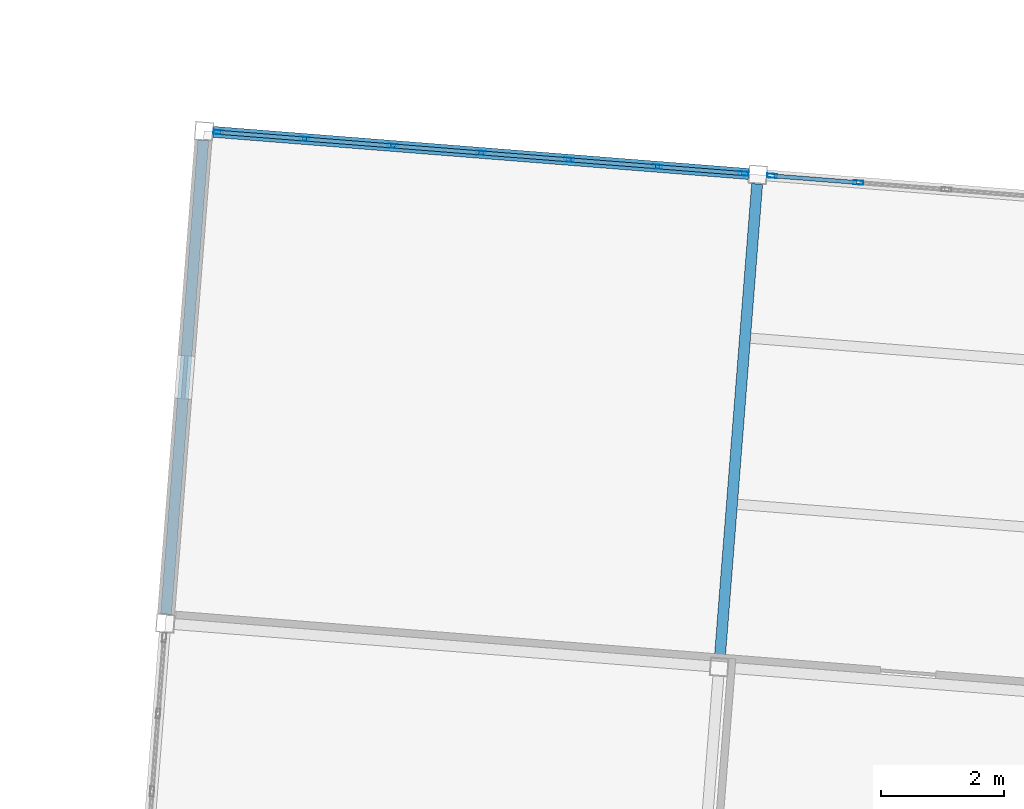
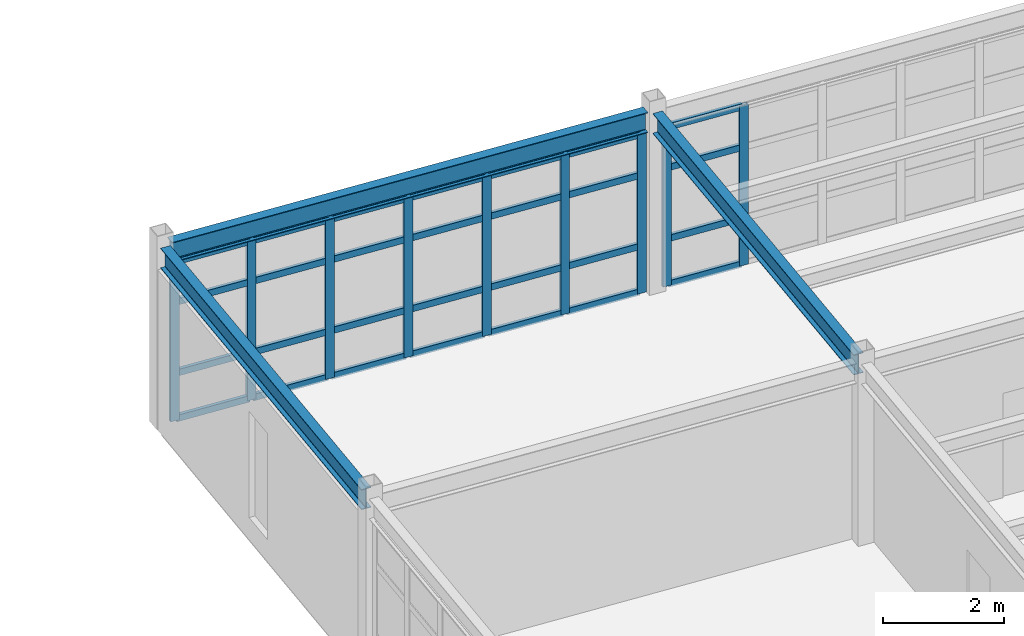
# One storey, part 50 of 150: 37 members, 3 beams, 2 elements without a shape of their own.
"""IFC4 building model written with IfcOpenShell, lengths in metres."""

from ifc_helpers import new_model, si_unit, direction, frame, origin, origin_2d, place, context, subcontext, project, spatial, hollow_rectangle, i_section, extrude, material, material_profile, profile_set, type_object, element, aggregate, save


model = new_model("IFC4")

# Units and contexts
model_context = context("Model", 3, precision=1e-05, world=origin(), true_north=direction((0.0, 1.0)))
body_context = subcontext(model_context, "Body", "Model", "MODEL_VIEW")
ifc_project = project(units=[si_unit("LENGTHUNIT", "METRE"), si_unit("AREAUNIT", "SQUARE_METRE"), si_unit("VOLUMEUNIT", "CUBIC_METRE"), si_unit("PLANEANGLEUNIT", "RADIAN"), si_unit("MASSUNIT", "GRAM", prefix="KILO")], contexts=[model_context])

# Site, building, storey
site_placement = place(None, origin())
site = spatial("IfcSite", under=ifc_project, at=site_placement, CompositionType="ELEMENT")
building_placement = place(site_placement, origin())
building = spatial("IfcBuilding", under=site, at=building_placement, Name="Kestramere Prow Commons", CompositionType="ELEMENT")
storey_placement = place(building_placement, frame((0.0, 0.0, 4.5)))
storey = spatial("IfcBuildingStorey", under=building, at=storey_placement, Name="L01", CompositionType="ELEMENT", Elevation=4.5)

# Beams
ifc_material_1 = material(Name="Steel S355JR", Category="steel")
ifc_material_profile_1 = material_profile(ifc_material_1, i_section(OverallWidth=0.177978515625, OverallDepth=0.406494140625, WebThickness=0.0078125, FlangeThickness=0.0126953125, FilletRadius=0.01025390625, at=origin_2d()), Name="UB 406x178x60")
ifc_profile_set_1 = profile_set([ifc_material_profile_1], Name="Steel S355JR")
beam_type_1 = type_object("IfcBeamType", Name="BM-NR-01 UB 406x178x60", PredefinedType="BEAM", material=ifc_profile_set_1)
beam_1_placement = place(storey_placement, frame((78.83935546875, 100.89404296875, 3.44677734375), z_axis=(0.078473620365, 0.996916190513, 0.0), x_axis=(-0.996916190513, 0.078473620365, 0.0)))
element("IfcBeam", 1, at=beam_1_placement, inside=storey, type_object=beam_type_1, Name="Nursery L01 Beam V 2-3", PredefinedType="BEAM", context=body_context, shape_type="SweptSolid", body=[
    extrude(i_section(OverallWidth=0.177978515625, OverallDepth=0.406494140625, WebThickness=0.0078125, FlangeThickness=0.0126953125, FilletRadius=0.01025390625, at=origin_2d()), origin(), (0.0, 0.0, 1.0), 7.699951171875),
])
ifc_material_profile_2 = material_profile(ifc_material_1, i_section(OverallWidth=0.177978515625, OverallDepth=0.406494140625, WebThickness=0.0078125, FlangeThickness=0.0126953125, FilletRadius=0.01025390625, at=origin_2d()), Name="UB 406x178x60")
ifc_profile_set_2 = profile_set([ifc_material_profile_2], Name="Steel S355JR")
beam_type_2 = type_object("IfcBeamType", Name="BM-NR-01 UB 406x178x60 (EX)", PredefinedType="BEAM", material=ifc_profile_set_2)
beam_2_placement = place(storey_placement, frame((70.632568359375, 109.414306640625, 3.44677734375), z_axis=(0.996917066238, -0.078462494502, 0.0), x_axis=(0.078462494502, 0.996917066238, 0.0)))
element("IfcBeam", 2, at=beam_2_placement, inside=storey, type_object=beam_type_2, Name="Nursery L01 Beam U 4-1", PredefinedType="BEAM", context=body_context, shape_type="SweptSolid", body=[
    extrude(i_section(OverallWidth=0.177978515625, OverallDepth=0.406494140625, WebThickness=0.0078125, FlangeThickness=0.0126953125, FilletRadius=0.01025390625, at=origin_2d()), origin(), (0.0, 0.0, 1.0), 8.699951171875),
])
beam_3_placement = place(storey_placement, frame((69.8671875, 101.60009765625, 3.44677734375), z_axis=(0.078442108986, 0.996918670473, 0.0), x_axis=(-0.996918670473, 0.078442108986, 0.0)))
element("IfcBeam", 3, at=beam_3_placement, inside=storey, type_object=beam_type_2, Name="Nursery L01 Beam V 1-3", PredefinedType="BEAM", context=body_context, shape_type="SweptSolid", body=[
    extrude(i_section(OverallWidth=0.177978515625, OverallDepth=0.406494140625, WebThickness=0.0078125, FlangeThickness=0.0126953125, FilletRadius=0.01025390625, at=origin_2d()), origin(), (0.0, 0.0, 1.0), 7.699951171875),
])

# Curtain wall, members
ifc_material_2 = material(Name="Anodised Aluminium and Low-E Glass", Category="aluminium")
curtain_wall_type = type_object("IfcCurtainWallType", Name="CW-15 Glazed Curtain Wall 8600x3230", PredefinedType="USERDEFINED", material=ifc_material_2)
curtain_wall_1_placement = place(storey_placement, origin())
curtain_wall_1 = element("IfcCurtainWall", 4, at=curtain_wall_1_placement, inside=storey, type_object=curtain_wall_type, Name="Nursery L01 North Garden Glazing 1", ObjectType="GLAZED CURTAIN WALL", PredefinedType="USERDEFINED")
ifc_material_3 = material(Name="Anodised Aluminium 6063-T6", Category="aluminium")
ifc_material_profile_3 = material_profile(ifc_material_3, hollow_rectangle(XDim=0.06494140625, YDim=0.159912109375, WallThickness=0.00390625, at=origin_2d()), Name="ALU-MUL 65x160")
ifc_profile_set_3 = profile_set([ifc_material_profile_3], Name="Anodised Aluminium 6063-T6")
member_type_1 = type_object("IfcMemberType", Name="CW-MUL-65x160", PredefinedType="MULLION", material=ifc_profile_set_3)
member_1_placement = place(storey_placement, frame((70.71484375, 109.40771484375, 0.0), z_axis=(0.0, 0.0, 1.0), x_axis=(0.078459070568, 0.996917335713, 0.0)))
member_1 = element("IfcMember", 5, at=member_1_placement, type_object=member_type_1, Name="CW-15 mullion 1", PredefinedType="MULLION", context=body_context, shape_type="SweptSolid", body=[
    extrude(hollow_rectangle(XDim=0.06494140625, YDim=0.159912109375, WallThickness=0.00390625, at=origin_2d()), origin(), (0.0, 0.0, 1.0), 3.22998046875),
])
member_2_placement = place(storey_placement, frame((72.111328125, 109.2978515625, 0.0), z_axis=(0.0, 0.0, 1.0), x_axis=(0.078459070568, 0.996917335713, 0.0)))
member_2 = element("IfcMember", 6, at=member_2_placement, type_object=member_type_1, Name="CW-15 mullion 2", PredefinedType="MULLION", context=body_context, shape_type="SweptSolid", body=[
    extrude(hollow_rectangle(XDim=0.06494140625, YDim=0.159912109375, WallThickness=0.00390625, at=origin_2d()), origin(), (0.0, 0.0, 1.0), 3.22998046875),
])
member_3_placement = place(storey_placement, frame((73.540283203125, 109.185302734375, 0.0), z_axis=(0.0, 0.0, 1.0), x_axis=(0.078459070568, 0.996917335713, 0.0)))
member_3 = element("IfcMember", 7, at=member_3_placement, type_object=member_type_1, Name="CW-15 mullion 3", PredefinedType="MULLION", context=body_context, shape_type="SweptSolid", body=[
    extrude(hollow_rectangle(XDim=0.06494140625, YDim=0.159912109375, WallThickness=0.00390625, at=origin_2d()), origin(), (0.0, 0.0, 1.0), 3.22998046875),
])
member_4_placement = place(storey_placement, frame((74.96923828125, 109.072998046875, 0.0), z_axis=(0.0, 0.0, 1.0), x_axis=(0.078459070568, 0.996917335713, 0.0)))
member_4 = element("IfcMember", 8, at=member_4_placement, type_object=member_type_1, Name="CW-15 mullion 4", PredefinedType="MULLION", context=body_context, shape_type="SweptSolid", body=[
    extrude(hollow_rectangle(XDim=0.06494140625, YDim=0.159912109375, WallThickness=0.00390625, at=origin_2d()), origin(), (0.0, 0.0, 1.0), 3.22998046875),
])
member_5_placement = place(storey_placement, frame((76.39794921875, 108.96044921875, 0.0), z_axis=(0.0, 0.0, 1.0), x_axis=(0.078459070568, 0.996917335713, 0.0)))
member_5 = element("IfcMember", 9, at=member_5_placement, type_object=member_type_1, Name="CW-15 mullion 5", PredefinedType="MULLION", context=body_context, shape_type="SweptSolid", body=[
    extrude(hollow_rectangle(XDim=0.06494140625, YDim=0.159912109375, WallThickness=0.00390625, at=origin_2d()), origin(), (0.0, 0.0, 1.0), 3.22998046875),
])
member_6_placement = place(storey_placement, frame((77.826904296875, 108.84814453125, 0.0), z_axis=(0.0, 0.0, 1.0), x_axis=(0.078459070568, 0.996917335713, 0.0)))
member_6 = element("IfcMember", 10, at=member_6_placement, type_object=member_type_1, Name="CW-15 mullion 6", PredefinedType="MULLION", context=body_context, shape_type="SweptSolid", body=[
    extrude(hollow_rectangle(XDim=0.06494140625, YDim=0.159912109375, WallThickness=0.00390625, at=origin_2d()), origin(), (0.0, 0.0, 1.0), 3.22998046875),
])
member_7_placement = place(storey_placement, frame((79.223388671875, 108.738037109375, 0.0), z_axis=(0.0, 0.0, 1.0), x_axis=(0.078459070568, 0.996917335713, 0.0)))
member_7 = element("IfcMember", 11, at=member_7_placement, type_object=member_type_1, Name="CW-15 mullion 7", PredefinedType="MULLION", context=body_context, shape_type="SweptSolid", body=[
    extrude(hollow_rectangle(XDim=0.06494140625, YDim=0.159912109375, WallThickness=0.00390625, at=origin_2d()), origin(), (0.0, 0.0, 1.0), 3.22998046875),
])

curtain_wall_2_placement = place(storey_placement, origin())
curtain_wall_2 = element("IfcCurtainWall", 12, at=curtain_wall_2_placement, inside=storey, type_object=curtain_wall_type, Name="Nursery L01 North Garden Glazing 2", ObjectType="GLAZED CURTAIN WALL", PredefinedType="USERDEFINED")
member_8_placement = place(storey_placement, frame((79.68701171875, 108.70166015625, 0.0), z_axis=(0.0, 0.0, 1.0), x_axis=(0.078459070568, 0.996917335713, 0.0)))
member_8 = element("IfcMember", 13, at=member_8_placement, type_object=member_type_1, Name="CW-15 mullion 1", PredefinedType="MULLION", context=body_context, shape_type="SweptSolid", body=[
    extrude(hollow_rectangle(XDim=0.06494140625, YDim=0.159912109375, WallThickness=0.00390625, at=origin_2d()), origin(), (0.0, 0.0, 1.0), 3.22998046875),
])
member_9_placement = place(storey_placement, frame((81.08349609375, 108.591796875, 0.0), z_axis=(0.0, 0.0, 1.0), x_axis=(0.078459070568, 0.996917335713, 0.0)))
member_9 = element("IfcMember", 14, at=member_9_placement, type_object=member_type_1, Name="CW-15 mullion 2", PredefinedType="MULLION", context=body_context, shape_type="SweptSolid", body=[
    extrude(hollow_rectangle(XDim=0.06494140625, YDim=0.159912109375, WallThickness=0.00390625, at=origin_2d()), origin(), (0.0, 0.0, 1.0), 3.22998046875),
])

# Member
ifc_material_profile_4 = material_profile(ifc_material_3, hollow_rectangle(XDim=0.06494140625, YDim=0.1298828125, WallThickness=0.00390625, at=origin_2d()), Name="ALU-TRN 65x130")
ifc_profile_set_4 = profile_set([ifc_material_profile_4], Name="Anodised Aluminium 6063-T6")
member_type_2 = type_object("IfcMemberType", Name="CW-TRN-65x130", PredefinedType="USERDEFINED", material=ifc_profile_set_4)
member_10_placement = place(storey_placement, frame((70.747314453125, 109.4052734375, 0.032470703125), z_axis=(0.996920751352, -0.07841565866, 0.0), x_axis=(0.07841565866, 0.996920751352, 0.0)))
member_10 = element("IfcMember", 15, at=member_10_placement, type_object=member_type_2, Name="CW-15 transom 1.1", ObjectType="TRANSOM", PredefinedType="USERDEFINED", context=body_context, shape_type="SweptSolid", body=[
    extrude(hollow_rectangle(XDim=0.06494140625, YDim=0.1298828125, WallThickness=0.00390625, at=origin_2d()), origin(), (0.0, 0.0, 1.0), 1.335693359375),
])

member_11_placement = place(storey_placement, frame((70.747314453125, 109.4052734375, 0.949951171875), z_axis=(0.996920751352, -0.07841565866, 0.0), x_axis=(0.07841565866, 0.996920751352, 0.0)))
member_11 = element("IfcMember", 16, at=member_11_placement, type_object=member_type_2, Name="CW-15 transom 1.2", ObjectType="TRANSOM", PredefinedType="USERDEFINED", context=body_context, shape_type="SweptSolid", body=[
    extrude(hollow_rectangle(XDim=0.06494140625, YDim=0.1298828125, WallThickness=0.00390625, at=origin_2d()), origin(), (0.0, 0.0, 1.0), 1.335693359375),
])

member_12_placement = place(storey_placement, frame((70.747314453125, 109.4052734375, 2.3798828125), z_axis=(0.996920751352, -0.07841565866, 0.0), x_axis=(0.07841565866, 0.996920751352, 0.0)))
member_12 = element("IfcMember", 17, at=member_12_placement, type_object=member_type_2, Name="CW-15 transom 1.3", ObjectType="TRANSOM", PredefinedType="USERDEFINED", context=body_context, shape_type="SweptSolid", body=[
    extrude(hollow_rectangle(XDim=0.06494140625, YDim=0.1298828125, WallThickness=0.00390625, at=origin_2d()), origin(), (0.0, 0.0, 1.0), 1.335693359375),
])

member_13_placement = place(storey_placement, frame((70.747314453125, 109.4052734375, 3.197509765625), z_axis=(0.996920751352, -0.07841565866, 0.0), x_axis=(0.07841565866, 0.996920751352, 0.0)))
member_13 = element("IfcMember", 18, at=member_13_placement, type_object=member_type_2, Name="CW-15 transom 1.4", ObjectType="TRANSOM", PredefinedType="USERDEFINED", context=body_context, shape_type="SweptSolid", body=[
    extrude(hollow_rectangle(XDim=0.06494140625, YDim=0.1298828125, WallThickness=0.00390625, at=origin_2d()), origin(), (0.0, 0.0, 1.0), 1.335693359375),
])

member_14_placement = place(storey_placement, frame((72.143798828125, 109.29541015625, 0.032470703125), z_axis=(0.996913235205, -0.07851115509, 0.0), x_axis=(0.07851115509, 0.996913235205, 0.0)))
member_14 = element("IfcMember", 19, at=member_14_placement, type_object=member_type_2, Name="CW-15 transom 2.1", ObjectType="TRANSOM", PredefinedType="USERDEFINED", context=body_context, shape_type="SweptSolid", body=[
    extrude(hollow_rectangle(XDim=0.06494140625, YDim=0.1298828125, WallThickness=0.00390625, at=origin_2d()), origin(), (0.0, 0.0, 1.0), 1.3681640625),
])

member_15_placement = place(storey_placement, frame((72.143798828125, 109.29541015625, 0.949951171875), z_axis=(0.996913235205, -0.07851115509, 0.0), x_axis=(0.07851115509, 0.996913235205, 0.0)))
member_15 = element("IfcMember", 20, at=member_15_placement, type_object=member_type_2, Name="CW-15 transom 2.2", ObjectType="TRANSOM", PredefinedType="USERDEFINED", context=body_context, shape_type="SweptSolid", body=[
    extrude(hollow_rectangle(XDim=0.06494140625, YDim=0.1298828125, WallThickness=0.00390625, at=origin_2d()), origin(), (0.0, 0.0, 1.0), 1.3681640625),
])

member_16_placement = place(storey_placement, frame((72.143798828125, 109.29541015625, 2.3798828125), z_axis=(0.996913235205, -0.07851115509, 0.0), x_axis=(0.07851115509, 0.996913235205, 0.0)))
member_16 = element("IfcMember", 21, at=member_16_placement, type_object=member_type_2, Name="CW-15 transom 2.3", ObjectType="TRANSOM", PredefinedType="USERDEFINED", context=body_context, shape_type="SweptSolid", body=[
    extrude(hollow_rectangle(XDim=0.06494140625, YDim=0.1298828125, WallThickness=0.00390625, at=origin_2d()), origin(), (0.0, 0.0, 1.0), 1.3681640625),
])

member_17_placement = place(storey_placement, frame((72.143798828125, 109.29541015625, 3.197509765625), z_axis=(0.996913235205, -0.07851115509, 0.0), x_axis=(0.07851115509, 0.996913235205, 0.0)))
member_17 = element("IfcMember", 22, at=member_17_placement, type_object=member_type_2, Name="CW-15 transom 2.4", ObjectType="TRANSOM", PredefinedType="USERDEFINED", context=body_context, shape_type="SweptSolid", body=[
    extrude(hollow_rectangle(XDim=0.06494140625, YDim=0.1298828125, WallThickness=0.00390625, at=origin_2d()), origin(), (0.0, 0.0, 1.0), 1.3681640625),
])

member_18_placement = place(storey_placement, frame((73.572509765625, 109.182861328125, 0.032470703125), z_axis=(0.996914334782, -0.078497191715, 0.0), x_axis=(0.078497191715, 0.996914334782, 0.0)))
member_18 = element("IfcMember", 23, at=member_18_placement, type_object=member_type_2, Name="CW-15 transom 3.1", ObjectType="TRANSOM", PredefinedType="USERDEFINED", context=body_context, shape_type="SweptSolid", body=[
    extrude(hollow_rectangle(XDim=0.06494140625, YDim=0.1298828125, WallThickness=0.00390625, at=origin_2d()), origin(), (0.0, 0.0, 1.0), 1.368408203125),
])

member_19_placement = place(storey_placement, frame((73.572509765625, 109.182861328125, 0.949951171875), z_axis=(0.996914334782, -0.078497191715, 0.0), x_axis=(0.078497191715, 0.996914334782, 0.0)))
member_19 = element("IfcMember", 24, at=member_19_placement, type_object=member_type_2, Name="CW-15 transom 3.2", ObjectType="TRANSOM", PredefinedType="USERDEFINED", context=body_context, shape_type="SweptSolid", body=[
    extrude(hollow_rectangle(XDim=0.06494140625, YDim=0.1298828125, WallThickness=0.00390625, at=origin_2d()), origin(), (0.0, 0.0, 1.0), 1.368408203125),
])

member_20_placement = place(storey_placement, frame((73.572509765625, 109.182861328125, 2.3798828125), z_axis=(0.996914334782, -0.078497191715, 0.0), x_axis=(0.078497191715, 0.996914334782, 0.0)))
member_20 = element("IfcMember", 25, at=member_20_placement, type_object=member_type_2, Name="CW-15 transom 3.3", ObjectType="TRANSOM", PredefinedType="USERDEFINED", context=body_context, shape_type="SweptSolid", body=[
    extrude(hollow_rectangle(XDim=0.06494140625, YDim=0.1298828125, WallThickness=0.00390625, at=origin_2d()), origin(), (0.0, 0.0, 1.0), 1.368408203125),
])

member_21_placement = place(storey_placement, frame((73.572509765625, 109.182861328125, 3.197509765625), z_axis=(0.996914334782, -0.078497191715, 0.0), x_axis=(0.078497191715, 0.996914334782, 0.0)))
member_21 = element("IfcMember", 26, at=member_21_placement, type_object=member_type_2, Name="CW-15 transom 3.4", ObjectType="TRANSOM", PredefinedType="USERDEFINED", context=body_context, shape_type="SweptSolid", body=[
    extrude(hollow_rectangle(XDim=0.06494140625, YDim=0.1298828125, WallThickness=0.00390625, at=origin_2d()), origin(), (0.0, 0.0, 1.0), 1.368408203125),
])

member_22_placement = place(storey_placement, frame((75.00146484375, 109.0703125, 0.032470703125), z_axis=(0.996928280109, -0.078319884568, 0.0), x_axis=(0.078319884568, 0.996928280109, 0.0)))
member_22 = element("IfcMember", 27, at=member_22_placement, type_object=member_type_2, Name="CW-15 transom 4.1", ObjectType="TRANSOM", PredefinedType="USERDEFINED", context=body_context, shape_type="SweptSolid", body=[
    extrude(hollow_rectangle(XDim=0.06494140625, YDim=0.1298828125, WallThickness=0.00390625, at=origin_2d()), origin(), (0.0, 0.0, 1.0), 1.368408203125),
])

member_23_placement = place(storey_placement, frame((75.00146484375, 109.0703125, 0.949951171875), z_axis=(0.996928280109, -0.078319884568, 0.0), x_axis=(0.078319884568, 0.996928280109, 0.0)))
member_23 = element("IfcMember", 28, at=member_23_placement, type_object=member_type_2, Name="CW-15 transom 4.2", ObjectType="TRANSOM", PredefinedType="USERDEFINED", context=body_context, shape_type="SweptSolid", body=[
    extrude(hollow_rectangle(XDim=0.06494140625, YDim=0.1298828125, WallThickness=0.00390625, at=origin_2d()), origin(), (0.0, 0.0, 1.0), 1.368408203125),
])

member_24_placement = place(storey_placement, frame((75.00146484375, 109.0703125, 2.3798828125), z_axis=(0.996928280109, -0.078319884568, 0.0), x_axis=(0.078319884568, 0.996928280109, 0.0)))
member_24 = element("IfcMember", 29, at=member_24_placement, type_object=member_type_2, Name="CW-15 transom 4.3", ObjectType="TRANSOM", PredefinedType="USERDEFINED", context=body_context, shape_type="SweptSolid", body=[
    extrude(hollow_rectangle(XDim=0.06494140625, YDim=0.1298828125, WallThickness=0.00390625, at=origin_2d()), origin(), (0.0, 0.0, 1.0), 1.368408203125),
])

member_25_placement = place(storey_placement, frame((75.00146484375, 109.0703125, 3.197509765625), z_axis=(0.996928280109, -0.078319884568, 0.0), x_axis=(0.078319884568, 0.996928280109, 0.0)))
member_25 = element("IfcMember", 30, at=member_25_placement, type_object=member_type_2, Name="CW-15 transom 4.4", ObjectType="TRANSOM", PredefinedType="USERDEFINED", context=body_context, shape_type="SweptSolid", body=[
    extrude(hollow_rectangle(XDim=0.06494140625, YDim=0.1298828125, WallThickness=0.00390625, at=origin_2d()), origin(), (0.0, 0.0, 1.0), 1.368408203125),
])

member_26_placement = place(storey_placement, frame((76.430419921875, 108.9580078125, 0.032470703125), z_axis=(0.996914334782, -0.078497191715, 0.0), x_axis=(0.078497191715, 0.996914334782, 0.0)))
member_26 = element("IfcMember", 31, at=member_26_placement, type_object=member_type_2, Name="CW-15 transom 5.1", ObjectType="TRANSOM", PredefinedType="USERDEFINED", context=body_context, shape_type="SweptSolid", body=[
    extrude(hollow_rectangle(XDim=0.06494140625, YDim=0.1298828125, WallThickness=0.00390625, at=origin_2d()), origin(), (0.0, 0.0, 1.0), 1.368408203125),
])

member_27_placement = place(storey_placement, frame((76.430419921875, 108.9580078125, 0.949951171875), z_axis=(0.996914334782, -0.078497191715, 0.0), x_axis=(0.078497191715, 0.996914334782, 0.0)))
member_27 = element("IfcMember", 32, at=member_27_placement, type_object=member_type_2, Name="CW-15 transom 5.2", ObjectType="TRANSOM", PredefinedType="USERDEFINED", context=body_context, shape_type="SweptSolid", body=[
    extrude(hollow_rectangle(XDim=0.06494140625, YDim=0.1298828125, WallThickness=0.00390625, at=origin_2d()), origin(), (0.0, 0.0, 1.0), 1.368408203125),
])

member_28_placement = place(storey_placement, frame((76.430419921875, 108.9580078125, 2.3798828125), z_axis=(0.996914334782, -0.078497191715, 0.0), x_axis=(0.078497191715, 0.996914334782, 0.0)))
member_28 = element("IfcMember", 33, at=member_28_placement, type_object=member_type_2, Name="CW-15 transom 5.3", ObjectType="TRANSOM", PredefinedType="USERDEFINED", context=body_context, shape_type="SweptSolid", body=[
    extrude(hollow_rectangle(XDim=0.06494140625, YDim=0.1298828125, WallThickness=0.00390625, at=origin_2d()), origin(), (0.0, 0.0, 1.0), 1.368408203125),
])

member_29_placement = place(storey_placement, frame((76.430419921875, 108.9580078125, 3.197509765625), z_axis=(0.996914334782, -0.078497191715, 0.0), x_axis=(0.078497191715, 0.996914334782, 0.0)))
member_29 = element("IfcMember", 34, at=member_29_placement, type_object=member_type_2, Name="CW-15 transom 5.4", ObjectType="TRANSOM", PredefinedType="USERDEFINED", context=body_context, shape_type="SweptSolid", body=[
    extrude(hollow_rectangle(XDim=0.06494140625, YDim=0.1298828125, WallThickness=0.00390625, at=origin_2d()), origin(), (0.0, 0.0, 1.0), 1.368408203125),
])

member_30_placement = place(storey_placement, frame((77.859375, 108.845458984375, 0.032470703125), z_axis=(0.996921875006, -0.078401372022, 0.0), x_axis=(0.078401372022, 0.996921875006, 0.0)))
member_30 = element("IfcMember", 35, at=member_30_placement, type_object=member_type_2, Name="CW-15 transom 6.1", ObjectType="TRANSOM", PredefinedType="USERDEFINED", context=body_context, shape_type="SweptSolid", body=[
    extrude(hollow_rectangle(XDim=0.06494140625, YDim=0.1298828125, WallThickness=0.00390625, at=origin_2d()), origin(), (0.0, 0.0, 1.0), 1.3359375),
])

member_31_placement = place(storey_placement, frame((77.859375, 108.845458984375, 0.949951171875), z_axis=(0.996921875006, -0.078401372022, 0.0), x_axis=(0.078401372022, 0.996921875006, 0.0)))
member_31 = element("IfcMember", 36, at=member_31_placement, type_object=member_type_2, Name="CW-15 transom 6.2", ObjectType="TRANSOM", PredefinedType="USERDEFINED", context=body_context, shape_type="SweptSolid", body=[
    extrude(hollow_rectangle(XDim=0.06494140625, YDim=0.1298828125, WallThickness=0.00390625, at=origin_2d()), origin(), (0.0, 0.0, 1.0), 1.3359375),
])

member_32_placement = place(storey_placement, frame((77.859375, 108.845458984375, 2.3798828125), z_axis=(0.996921875006, -0.078401372022, 0.0), x_axis=(0.078401372022, 0.996921875006, 0.0)))
member_32 = element("IfcMember", 37, at=member_32_placement, type_object=member_type_2, Name="CW-15 transom 6.3", ObjectType="TRANSOM", PredefinedType="USERDEFINED", context=body_context, shape_type="SweptSolid", body=[
    extrude(hollow_rectangle(XDim=0.06494140625, YDim=0.1298828125, WallThickness=0.00390625, at=origin_2d()), origin(), (0.0, 0.0, 1.0), 1.3359375),
])

member_33_placement = place(storey_placement, frame((77.859375, 108.845458984375, 3.197509765625), z_axis=(0.996921875006, -0.078401372022, 0.0), x_axis=(0.078401372022, 0.996921875006, 0.0)))
member_33 = element("IfcMember", 38, at=member_33_placement, type_object=member_type_2, Name="CW-15 transom 6.4", ObjectType="TRANSOM", PredefinedType="USERDEFINED", context=body_context, shape_type="SweptSolid", body=[
    extrude(hollow_rectangle(XDim=0.06494140625, YDim=0.1298828125, WallThickness=0.00390625, at=origin_2d()), origin(), (0.0, 0.0, 1.0), 1.3359375),
])

aggregate(curtain_wall_1, [member_1, member_2, member_3, member_4, member_5, member_6, member_7, member_10, member_11, member_12, member_13, member_14, member_15, member_16, member_17, member_18, member_19, member_20, member_21, member_22, member_23, member_24, member_25, member_26, member_27, member_28, member_29, member_30, member_31, member_32, member_33])

member_34_placement = place(storey_placement, frame((79.719482421875, 108.698974609375, 0.032470703125), z_axis=(0.996921875006, -0.078401372022, 0.0), x_axis=(0.078401372022, 0.996921875006, 0.0)))
member_34 = element("IfcMember", 39, at=member_34_placement, type_object=member_type_2, Name="CW-15 transom 1.1", ObjectType="TRANSOM", PredefinedType="USERDEFINED", context=body_context, shape_type="SweptSolid", body=[
    extrude(hollow_rectangle(XDim=0.06494140625, YDim=0.1298828125, WallThickness=0.00390625, at=origin_2d()), origin(), (0.0, 0.0, 1.0), 1.3359375),
])

member_35_placement = place(storey_placement, frame((79.719482421875, 108.698974609375, 0.949951171875), z_axis=(0.996921875006, -0.078401372022, 0.0), x_axis=(0.078401372022, 0.996921875006, 0.0)))
member_35 = element("IfcMember", 40, at=member_35_placement, type_object=member_type_2, Name="CW-15 transom 1.2", ObjectType="TRANSOM", PredefinedType="USERDEFINED", context=body_context, shape_type="SweptSolid", body=[
    extrude(hollow_rectangle(XDim=0.06494140625, YDim=0.1298828125, WallThickness=0.00390625, at=origin_2d()), origin(), (0.0, 0.0, 1.0), 1.3359375),
])

member_36_placement = place(storey_placement, frame((79.719482421875, 108.698974609375, 2.3798828125), z_axis=(0.996921875006, -0.078401372022, 0.0), x_axis=(0.078401372022, 0.996921875006, 0.0)))
member_36 = element("IfcMember", 41, at=member_36_placement, type_object=member_type_2, Name="CW-15 transom 1.3", ObjectType="TRANSOM", PredefinedType="USERDEFINED", context=body_context, shape_type="SweptSolid", body=[
    extrude(hollow_rectangle(XDim=0.06494140625, YDim=0.1298828125, WallThickness=0.00390625, at=origin_2d()), origin(), (0.0, 0.0, 1.0), 1.3359375),
])

member_37_placement = place(storey_placement, frame((79.719482421875, 108.698974609375, 3.197509765625), z_axis=(0.996921875006, -0.078401372022, 0.0), x_axis=(0.078401372022, 0.996921875006, 0.0)))
member_37 = element("IfcMember", 42, at=member_37_placement, type_object=member_type_2, Name="CW-15 transom 1.4", ObjectType="TRANSOM", PredefinedType="USERDEFINED", context=body_context, shape_type="SweptSolid", body=[
    extrude(hollow_rectangle(XDim=0.06494140625, YDim=0.1298828125, WallThickness=0.00390625, at=origin_2d()), origin(), (0.0, 0.0, 1.0), 1.3359375),
])

aggregate(curtain_wall_2, [member_8, member_9, member_34, member_35, member_36, member_37])

save(model, "model.ifc")
